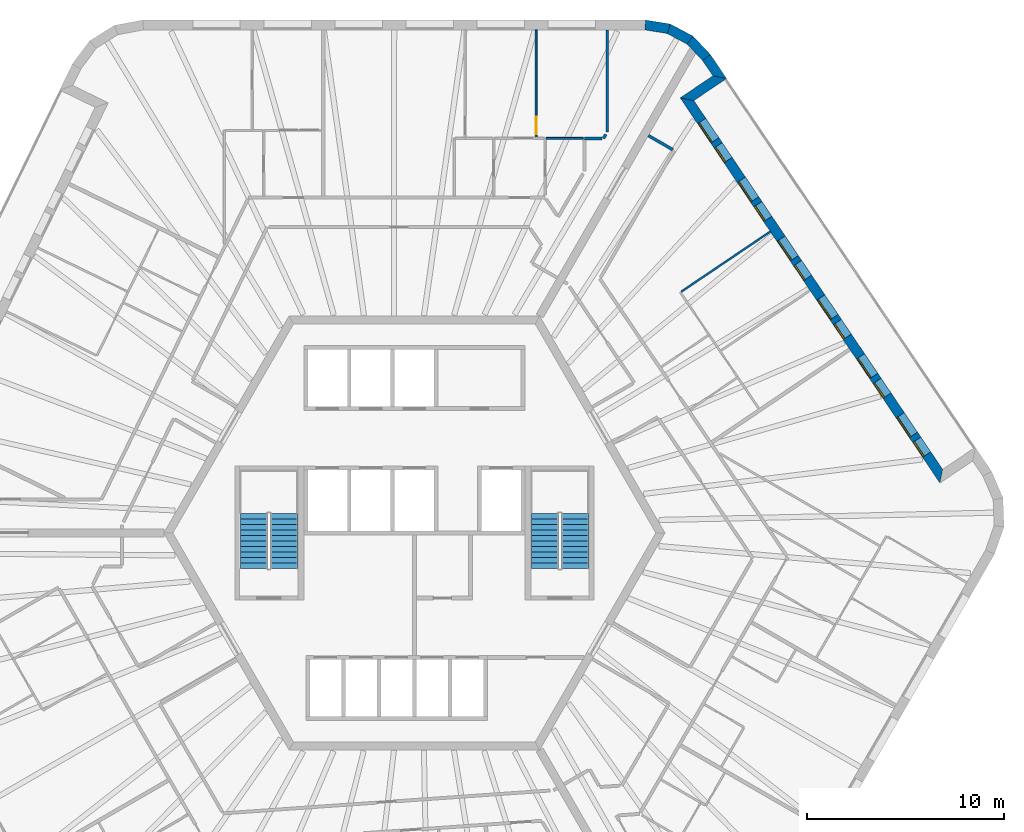
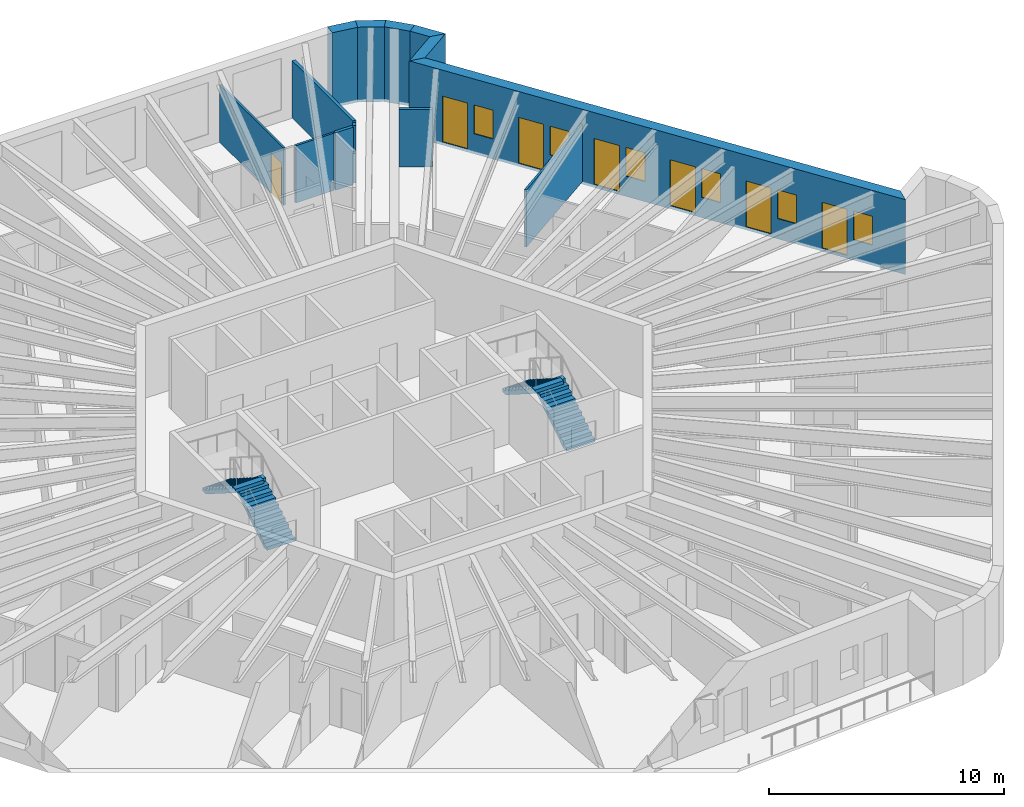
# One storey, part 11 of 12: 13 walls, 7 doors, 6 windows, 4 stair flights, 13 openings, 2 elements without a shape of their own.
"""IFC4 building model written with IfcOpenShell, lengths in metres."""

from ifc_helpers import new_model, si_unit, direction, frame, frame_2d, origin, place, context, subcontext, project, spatial, polyline, rectangle, outline, extrude, material, layer, layer_set, type_object, element, fill, aggregate, save


model = new_model("IFC4")

# Units and contexts
model_context = context("Model", 3, precision=1e-05, world=origin(), true_north=direction((0.0, 1.0)))
body_context = subcontext(model_context, "Body", "Model", "MODEL_VIEW")
ifc_project = project(units=[si_unit("LENGTHUNIT", "METRE"), si_unit("AREAUNIT", "SQUARE_METRE"), si_unit("VOLUMEUNIT", "CUBIC_METRE"), si_unit("PLANEANGLEUNIT", "RADIAN"), si_unit("MASSUNIT", "GRAM", prefix="KILO")], contexts=[model_context])

# Site, building, storey
site_placement = place(None, origin())
site = spatial("IfcSite", under=ifc_project, at=site_placement, CompositionType="ELEMENT")
building_placement = place(site_placement, origin())
building = spatial("IfcBuilding", under=site, at=building_placement, Name="Tarnside Tower", CompositionType="ELEMENT")
storey_placement = place(building_placement, frame((0.0, 0.0, 275.699951171875)))
storey = spatial("IfcBuildingStorey", under=building, at=storey_placement, Name="L66", CompositionType="ELEMENT", Elevation=275.699951171875)

# Walls
ifc_material_1 = material(Name="Gypsum board partition on steel studs", Category="steel")
ifc_layer_1 = layer(ifc_material_1, 0.10009765625)
ifc_layer_set_1 = layer_set([ifc_layer_1], Name="Bathroom wall 100")
wall_type_1 = type_object("IfcWallType", Name="Bathroom wall 100", PredefinedType="PARTITIONING", material=ifc_layer_set_1)
wall_1_placement = place(storey_placement, frame((6.676513671875, 20.0, 0.0), z_axis=(0.0, 0.0, 1.0), x_axis=(1.0, 0.0, 0.0)))
element("IfcWall", 1, at=wall_1_placement, inside=storey, type_object=wall_type_1, Name="Bathroom wall 21097", PredefinedType="PARTITIONING", context=body_context, shape_type="SweptSolid", body=[
    extrude(rectangle(XDim=1.875, YDim=0.10009765625, at=frame_2d((0.9375, 0.0))), origin(), (0.0, 0.0, 1.0), 2.98779296875),
])
ifc_layer_2 = layer(ifc_material_1, 0.14990234375)
ifc_layer_set_2 = layer_set([ifc_layer_2], Name="Corridor wall 150 EI 60")
wall_type_2 = type_object("IfcWallType", Name="Corridor wall 150 EI 60", PredefinedType="PARTITIONING", material=ifc_layer_set_2)
wall_2_placement = place(storey_placement, frame((9.775146484375, 25.5, 0.0), z_axis=(0.0, 0.0, 1.0), x_axis=(0.0, -1.0, 0.0)))
element("IfcWall", 2, at=wall_2_placement, inside=storey, type_object=wall_type_2, Name="Corridor wall 21004", PredefinedType="PARTITIONING", context=body_context, shape_type="SweptSolid", body=[
    extrude(rectangle(XDim=5.1689453125, YDim=0.14990234375, at=frame_2d((2.58447265625, 0.0))), origin(), (0.0, 0.0, 1.0), 2.98779296875),
])
wall_3_placement = place(storey_placement, frame((9.7001953125, 20.201171875, 0.0), z_axis=(0.0, 0.0, 1.0), x_axis=(-0.500207565094, -0.865905532852, 0.0)))
element("IfcWall", 3, at=wall_3_placement, inside=storey, type_object=wall_type_2, Name="Corridor wall 21005", PredefinedType="PARTITIONING", context=body_context, shape_type="SweptSolid", body=[
    extrude(rectangle(XDim=0.232421875, YDim=0.14990234375, at=frame_2d((0.1162109375, 0.0))), origin(), (0.0, 0.0, 1.0), 2.98779296875),
])
wall_4_placement = place(storey_placement, frame((9.497314453125, 20.0, 0.0), z_axis=(0.0, 0.0, 1.0), x_axis=(-1.0, 0.0, 0.0)))
element("IfcWall", 4, at=wall_4_placement, inside=storey, type_object=wall_type_2, Name="Corridor wall 21006", PredefinedType="PARTITIONING", context=body_context, shape_type="SweptSolid", body=[
    extrude(rectangle(XDim=0.874267578125, YDim=0.14990234375, at=frame_2d((0.43701171875, 0.0))), origin(), (0.0, 0.0, 1.0), 2.98779296875),
])
wall_5_placement = place(storey_placement, frame((13.09423828125, 19.429931640625, 0.0), z_axis=(0.0, 0.0, 1.0), x_axis=(-0.866062911188, 0.499935029643, 0.0)))
element("IfcWall", 5, at=wall_5_placement, inside=storey, type_object=wall_type_2, Name="Corridor wall 21071", PredefinedType="PARTITIONING", context=body_context, shape_type="SweptSolid", body=[
    extrude(rectangle(XDim=1.425048828125, YDim=0.14990234375, at=frame_2d((0.71240234375, 0.0))), origin(), (0.0, 0.0, 1.0), 2.98779296875),
])

# Wall, openings, doors, windows
ifc_material_2 = material(Name="Dark zinc cladding")
ifc_layer_3 = layer(ifc_material_2, 0.10205078125)
ifc_material_3 = material(Name="Concrete C60/75 precast", Category="concrete")
ifc_layer_4 = layer(ifc_material_3, 0.298095703125)
ifc_material_4 = material(Name="Mineral wool insulation")
ifc_layer_5 = layer(ifc_material_4, 0.10009765625)
ifc_layer_set_3 = layer_set([ifc_layer_3, ifc_layer_4, ifc_layer_5], Name="Loggia wall 500 zinc faced")
wall_type_3 = type_object("IfcWallType", Name="Loggia wall 500 zinc faced", PredefinedType="SOLIDWALL", material=ifc_layer_set_3)
wall_6_placement = place(storey_placement, frame((26.705810546875, 2.87890625, -0.14990234375), z_axis=(0.0, 0.0, 1.0), x_axis=(-0.559197891507, 0.829034208061, 0.0)))
wall_6 = element("IfcWall", 6, at=wall_6_placement, inside=storey, type_object=wall_type_3, Name="Tube wall L66 F6 back 30", PredefinedType="SOLIDWALL", context=body_context, shape_type="SweptSolid", body=[
    extrude(outline(polyline([(0.25, -0.25), (22.794677734375, -0.25), (23.294677734375, 0.25), (-0.25, 0.25), (0.25, -0.25)])), origin(), (0.0, 0.0, 1.0), 3.89990234375),
])
opening_1_placement = place(wall_6_placement, frame((1.322509765625, 0.0, 1.050048828125)))
opening_1 = element("IfcOpeningElement", 7, at=opening_1_placement, cuts=wall_6, Name="Opening WL500", PredefinedType="OPENING", context=body_context, shape_type="SweptSolid", body=[
    extrude(rectangle(XDim=0.89990234375, YDim=1.5, at=frame_2d((0.449951171875, 0.75))), frame((0.0, 0.260009765625, 0.0), z_axis=(0.0, -1.0, 0.0), x_axis=(1.0, 0.0, 0.0)), (0.0, 0.0, 1.0), 0.52001953125),
])
opening_2_placement = place(wall_6_placement, frame((2.5224609375, 0.0, 0.14990234375)))
opening_2 = element("IfcOpeningElement", 8, at=opening_2_placement, cuts=wall_6, Name="Opening DB500", PredefinedType="OPENING", context=body_context, shape_type="SweptSolid", body=[
    extrude(rectangle(XDim=1.199951171875, YDim=2.39990234375, at=frame_2d((0.60009765625, 1.199951171875))), frame((0.0, 0.260009765625, 0.0), z_axis=(0.0, -1.0, 0.0), x_axis=(1.0, 0.0, 0.0)), (0.0, 0.0, 1.0), 0.52001953125),
])
opening_3_placement = place(wall_6_placement, frame((4.92236328125, 0.0, 1.050048828125)))
opening_3 = element("IfcOpeningElement", 9, at=opening_3_placement, cuts=wall_6, Name="Opening WL500", PredefinedType="OPENING", context=body_context, shape_type="SweptSolid", body=[
    extrude(rectangle(XDim=0.89990234375, YDim=1.5, at=frame_2d((0.449951171875, 0.75))), frame((0.0, 0.260009765625, 0.0), z_axis=(0.0, -1.0, 0.0), x_axis=(1.0, 0.0, 0.0)), (0.0, 0.0, 1.0), 0.52001953125),
])
opening_4_placement = place(wall_6_placement, frame((6.122314453125, 0.0, 0.14990234375)))
opening_4 = element("IfcOpeningElement", 10, at=opening_4_placement, cuts=wall_6, Name="Opening DB500", PredefinedType="OPENING", context=body_context, shape_type="SweptSolid", body=[
    extrude(rectangle(XDim=1.199951171875, YDim=2.39990234375, at=frame_2d((0.60009765625, 1.199951171875))), frame((0.0, 0.260009765625, 0.0), z_axis=(0.0, -1.0, 0.0), x_axis=(1.0, 0.0, 0.0)), (0.0, 0.0, 1.0), 0.52001953125),
])
opening_5_placement = place(wall_6_placement, frame((8.5224609375, 0.0, 1.050048828125)))
opening_5 = element("IfcOpeningElement", 11, at=opening_5_placement, cuts=wall_6, Name="Opening WL500", PredefinedType="OPENING", context=body_context, shape_type="SweptSolid", body=[
    extrude(rectangle(XDim=0.89990234375, YDim=1.5, at=frame_2d((0.449951171875, 0.75))), frame((0.0, 0.260009765625, 0.0), z_axis=(0.0, -1.0, 0.0), x_axis=(1.0, 0.0, 0.0)), (0.0, 0.0, 1.0), 0.52001953125),
])
opening_6_placement = place(wall_6_placement, frame((9.722412109375, 0.0, 0.14990234375)))
opening_6 = element("IfcOpeningElement", 12, at=opening_6_placement, cuts=wall_6, Name="Opening DB500", PredefinedType="OPENING", context=body_context, shape_type="SweptSolid", body=[
    extrude(rectangle(XDim=1.199951171875, YDim=2.39990234375, at=frame_2d((0.60009765625, 1.199951171875))), frame((0.0, 0.260009765625, 0.0), z_axis=(0.0, -1.0, 0.0), x_axis=(1.0, 0.0, 0.0)), (0.0, 0.0, 1.0), 0.52001953125),
])
opening_7_placement = place(wall_6_placement, frame((12.122314453125, 0.0, 1.050048828125)))
opening_7 = element("IfcOpeningElement", 13, at=opening_7_placement, cuts=wall_6, Name="Opening WL500", PredefinedType="OPENING", context=body_context, shape_type="SweptSolid", body=[
    extrude(rectangle(XDim=0.89990234375, YDim=1.5, at=frame_2d((0.449951171875, 0.75))), frame((0.0, 0.260009765625, 0.0), z_axis=(0.0, -1.0, 0.0), x_axis=(1.0, 0.0, 0.0)), (0.0, 0.0, 1.0), 0.52001953125),
])
opening_8_placement = place(wall_6_placement, frame((13.322509765625, 0.0, 0.14990234375)))
opening_8 = element("IfcOpeningElement", 14, at=opening_8_placement, cuts=wall_6, Name="Opening DB500", PredefinedType="OPENING", context=body_context, shape_type="SweptSolid", body=[
    extrude(rectangle(XDim=1.199951171875, YDim=2.39990234375, at=frame_2d((0.60009765625, 1.199951171875))), frame((0.0, 0.260009765625, 0.0), z_axis=(0.0, -1.0, 0.0), x_axis=(1.0, 0.0, 0.0)), (0.0, 0.0, 1.0), 0.52001953125),
])
opening_9_placement = place(wall_6_placement, frame((15.722412109375, 0.0, 1.050048828125)))
opening_9 = element("IfcOpeningElement", 15, at=opening_9_placement, cuts=wall_6, Name="Opening WL500", PredefinedType="OPENING", context=body_context, shape_type="SweptSolid", body=[
    extrude(rectangle(XDim=0.89990234375, YDim=1.5, at=frame_2d((0.449951171875, 0.75))), frame((0.0, 0.260009765625, 0.0), z_axis=(0.0, -1.0, 0.0), x_axis=(1.0, 0.0, 0.0)), (0.0, 0.0, 1.0), 0.52001953125),
])
opening_10_placement = place(wall_6_placement, frame((16.92236328125, 0.0, 0.14990234375)))
opening_10 = element("IfcOpeningElement", 16, at=opening_10_placement, cuts=wall_6, Name="Opening DB500", PredefinedType="OPENING", context=body_context, shape_type="SweptSolid", body=[
    extrude(rectangle(XDim=1.199951171875, YDim=2.39990234375, at=frame_2d((0.60009765625, 1.199951171875))), frame((0.0, 0.260009765625, 0.0), z_axis=(0.0, -1.0, 0.0), x_axis=(1.0, 0.0, 0.0)), (0.0, 0.0, 1.0), 0.52001953125),
])
opening_11_placement = place(wall_6_placement, frame((19.322509765625, 0.0, 1.050048828125)))
opening_11 = element("IfcOpeningElement", 17, at=opening_11_placement, cuts=wall_6, Name="Opening WL500", PredefinedType="OPENING", context=body_context, shape_type="SweptSolid", body=[
    extrude(rectangle(XDim=0.89990234375, YDim=1.5, at=frame_2d((0.449951171875, 0.75))), frame((0.0, 0.260009765625, 0.0), z_axis=(0.0, -1.0, 0.0), x_axis=(1.0, 0.0, 0.0)), (0.0, 0.0, 1.0), 0.52001953125),
])
opening_12_placement = place(wall_6_placement, frame((20.5224609375, 0.0, 0.14990234375)))
opening_12 = element("IfcOpeningElement", 18, at=opening_12_placement, cuts=wall_6, Name="Opening DB500", PredefinedType="OPENING", context=body_context, shape_type="SweptSolid", body=[
    extrude(rectangle(XDim=1.199951171875, YDim=2.39990234375, at=frame_2d((0.60009765625, 1.199951171875))), frame((0.0, 0.260009765625, 0.0), z_axis=(0.0, -1.0, 0.0), x_axis=(1.0, 0.0, 0.0)), (0.0, 0.0, 1.0), 0.52001953125),
])
ifc_material_5 = material(Name="Aluminium-framed double glazing", Category="aluminium")
door_type_1 = type_object("IfcDoorType", Name="Balcony sliding door 1200 x 2400 in 500 wall", OperationType="SLIDING_TO_LEFT", PredefinedType="DOOR", material=ifc_material_5)
door_1_placement = place(opening_2_placement, frame((0.0, 0.1748046875, 0.0)))
door_1 = element("IfcDoor", 19, at=door_1_placement, inside=storey, type_object=door_type_1, Name="E.BD.L66.F6.00", OperationType="SLIDING_TO_LEFT", OverallHeight=2.39990234375, OverallWidth=1.199951171875, PredefinedType="DOOR", context=body_context, shape_type="SweptSolid", body=[
    extrude(rectangle(XDim=1.199951171875, YDim=2.39990234375, at=frame_2d((0.60009765625, 1.199951171875))), frame((0.0, 0.02490234375, 0.0), z_axis=(0.0, -1.0, 0.0), x_axis=(1.0, 0.0, 0.0)), (0.0, 0.0, 1.0), 0.050048828125),
])
fill(opening_2, door_1)
door_2_placement = place(opening_4_placement, frame((0.0, 0.1748046875, 0.0)))
door_2 = element("IfcDoor", 20, at=door_2_placement, inside=storey, type_object=door_type_1, Name="E.BD.L66.F6.01", OperationType="SLIDING_TO_LEFT", OverallHeight=2.39990234375, OverallWidth=1.199951171875, PredefinedType="DOOR", context=body_context, shape_type="SweptSolid", body=[
    extrude(rectangle(XDim=1.199951171875, YDim=2.39990234375, at=frame_2d((0.60009765625, 1.199951171875))), frame((0.0, 0.02490234375, 0.0), z_axis=(0.0, -1.0, 0.0), x_axis=(1.0, 0.0, 0.0)), (0.0, 0.0, 1.0), 0.050048828125),
])
fill(opening_4, door_2)
door_3_placement = place(opening_6_placement, frame((0.0, 0.1748046875, 0.0)))
door_3 = element("IfcDoor", 21, at=door_3_placement, inside=storey, type_object=door_type_1, Name="E.BD.L66.F6.02", OperationType="SLIDING_TO_LEFT", OverallHeight=2.39990234375, OverallWidth=1.199951171875, PredefinedType="DOOR", context=body_context, shape_type="SweptSolid", body=[
    extrude(rectangle(XDim=1.199951171875, YDim=2.39990234375, at=frame_2d((0.60009765625, 1.199951171875))), frame((0.0, 0.02490234375, 0.0), z_axis=(0.0, -1.0, 0.0), x_axis=(1.0, 0.0, 0.0)), (0.0, 0.0, 1.0), 0.050048828125),
])
fill(opening_6, door_3)
door_4_placement = place(opening_8_placement, frame((0.0, 0.1748046875, 0.0)))
door_4 = element("IfcDoor", 22, at=door_4_placement, inside=storey, type_object=door_type_1, Name="E.BD.L66.F6.03", OperationType="SLIDING_TO_LEFT", OverallHeight=2.39990234375, OverallWidth=1.199951171875, PredefinedType="DOOR", context=body_context, shape_type="SweptSolid", body=[
    extrude(rectangle(XDim=1.199951171875, YDim=2.39990234375, at=frame_2d((0.60009765625, 1.199951171875))), frame((0.0, 0.02490234375, 0.0), z_axis=(0.0, -1.0, 0.0), x_axis=(1.0, 0.0, 0.0)), (0.0, 0.0, 1.0), 0.050048828125),
])
fill(opening_8, door_4)
door_5_placement = place(opening_10_placement, frame((0.0, 0.1748046875, 0.0)))
door_5 = element("IfcDoor", 23, at=door_5_placement, inside=storey, type_object=door_type_1, Name="E.BD.L66.F6.04", OperationType="SLIDING_TO_LEFT", OverallHeight=2.39990234375, OverallWidth=1.199951171875, PredefinedType="DOOR", context=body_context, shape_type="SweptSolid", body=[
    extrude(rectangle(XDim=1.199951171875, YDim=2.39990234375, at=frame_2d((0.60009765625, 1.199951171875))), frame((0.0, 0.02490234375, 0.0), z_axis=(0.0, -1.0, 0.0), x_axis=(1.0, 0.0, 0.0)), (0.0, 0.0, 1.0), 0.050048828125),
])
fill(opening_10, door_5)
door_6_placement = place(opening_12_placement, frame((0.0, 0.1748046875, 0.0)))
door_6 = element("IfcDoor", 24, at=door_6_placement, inside=storey, type_object=door_type_1, Name="E.BD.L66.F6.05", OperationType="SLIDING_TO_LEFT", OverallHeight=2.39990234375, OverallWidth=1.199951171875, PredefinedType="DOOR", context=body_context, shape_type="SweptSolid", body=[
    extrude(rectangle(XDim=1.199951171875, YDim=2.39990234375, at=frame_2d((0.60009765625, 1.199951171875))), frame((0.0, 0.02490234375, 0.0), z_axis=(0.0, -1.0, 0.0), x_axis=(1.0, 0.0, 0.0)), (0.0, 0.0, 1.0), 0.050048828125),
])
fill(opening_12, door_6)
window_type = type_object("IfcWindowType", Name="Loggia window 900 x 1500 in 500 wall", PartitioningType="SINGLE_PANEL", PredefinedType="WINDOW", material=ifc_material_5)
window_1_placement = place(opening_1_placement, frame((0.0, 0.179931640625, 0.0)))
window_1 = element("IfcWindow", 25, at=window_1_placement, inside=storey, type_object=window_type, Name="E.LW.L66.F6.00", OverallHeight=1.5, OverallWidth=0.89990234375, PartitioningType="SINGLE_PANEL", PredefinedType="WINDOW", context=body_context, shape_type="SweptSolid", body=[
    extrude(rectangle(XDim=0.89990234375, YDim=1.5, at=frame_2d((0.449951171875, 0.75))), frame((0.0, 0.030029296875, 0.0), z_axis=(0.0, -1.0, 0.0), x_axis=(1.0, 0.0, 0.0)), (0.0, 0.0, 1.0), 0.06005859375),
])
fill(opening_1, window_1)
window_2_placement = place(opening_3_placement, frame((0.0, 0.179931640625, 0.0)))
window_2 = element("IfcWindow", 26, at=window_2_placement, inside=storey, type_object=window_type, Name="E.LW.L66.F6.01", OverallHeight=1.5, OverallWidth=0.89990234375, PartitioningType="SINGLE_PANEL", PredefinedType="WINDOW", context=body_context, shape_type="SweptSolid", body=[
    extrude(rectangle(XDim=0.89990234375, YDim=1.5, at=frame_2d((0.449951171875, 0.75))), frame((0.0, 0.030029296875, 0.0), z_axis=(0.0, -1.0, 0.0), x_axis=(1.0, 0.0, 0.0)), (0.0, 0.0, 1.0), 0.06005859375),
])
fill(opening_3, window_2)
window_3_placement = place(opening_5_placement, frame((0.0, 0.179931640625, 0.0)))
window_3 = element("IfcWindow", 27, at=window_3_placement, inside=storey, type_object=window_type, Name="E.LW.L66.F6.02", OverallHeight=1.5, OverallWidth=0.89990234375, PartitioningType="SINGLE_PANEL", PredefinedType="WINDOW", context=body_context, shape_type="SweptSolid", body=[
    extrude(rectangle(XDim=0.89990234375, YDim=1.5, at=frame_2d((0.449951171875, 0.75))), frame((0.0, 0.030029296875, 0.0), z_axis=(0.0, -1.0, 0.0), x_axis=(1.0, 0.0, 0.0)), (0.0, 0.0, 1.0), 0.06005859375),
])
fill(opening_5, window_3)
window_4_placement = place(opening_7_placement, frame((0.0, 0.179931640625, 0.0)))
window_4 = element("IfcWindow", 28, at=window_4_placement, inside=storey, type_object=window_type, Name="E.LW.L66.F6.03", OverallHeight=1.5, OverallWidth=0.89990234375, PartitioningType="SINGLE_PANEL", PredefinedType="WINDOW", context=body_context, shape_type="SweptSolid", body=[
    extrude(rectangle(XDim=0.89990234375, YDim=1.5, at=frame_2d((0.449951171875, 0.75))), frame((0.0, 0.030029296875, 0.0), z_axis=(0.0, -1.0, 0.0), x_axis=(1.0, 0.0, 0.0)), (0.0, 0.0, 1.0), 0.06005859375),
])
fill(opening_7, window_4)
window_5_placement = place(opening_9_placement, frame((0.0, 0.179931640625, 0.0)))
window_5 = element("IfcWindow", 29, at=window_5_placement, inside=storey, type_object=window_type, Name="E.LW.L66.F6.04", OverallHeight=1.5, OverallWidth=0.89990234375, PartitioningType="SINGLE_PANEL", PredefinedType="WINDOW", context=body_context, shape_type="SweptSolid", body=[
    extrude(rectangle(XDim=0.89990234375, YDim=1.5, at=frame_2d((0.449951171875, 0.75))), frame((0.0, 0.030029296875, 0.0), z_axis=(0.0, -1.0, 0.0), x_axis=(1.0, 0.0, 0.0)), (0.0, 0.0, 1.0), 0.06005859375),
])
fill(opening_9, window_5)
window_6_placement = place(opening_11_placement, frame((0.0, 0.179931640625, 0.0)))
window_6 = element("IfcWindow", 30, at=window_6_placement, inside=storey, type_object=window_type, Name="E.LW.L66.F6.05", OverallHeight=1.5, OverallWidth=0.89990234375, PartitioningType="SINGLE_PANEL", PredefinedType="WINDOW", context=body_context, shape_type="SweptSolid", body=[
    extrude(rectangle(XDim=0.89990234375, YDim=1.5, at=frame_2d((0.449951171875, 0.75))), frame((0.0, 0.030029296875, 0.0), z_axis=(0.0, -1.0, 0.0), x_axis=(1.0, 0.0, 0.0)), (0.0, 0.0, 1.0), 0.06005859375),
])
fill(opening_11, window_6)

# Walls
wall_7_placement = place(storey_placement, frame((13.8193359375, 21.983642578125, -0.14990234375), z_axis=(0.0, 0.0, 1.0), x_axis=(0.829052389485, 0.559170935841, 0.0)))
element("IfcWall", 31, at=wall_7_placement, inside=storey, type_object=wall_type_3, Name="Tube wall L66 F6 return 31", PredefinedType="SOLIDWALL", context=body_context, shape_type="SweptSolid", body=[
    extrude(outline(polyline([(0.25, -0.25), (2.25, -0.25), (1.75, 0.25), (-0.25, 0.25), (0.25, -0.25)])), origin(), (0.0, 0.0, 1.0), 3.89990234375),
])
wall_8_placement = place(storey_placement, frame((15.4775390625, 23.10205078125, -0.14990234375), z_axis=(0.0, 0.0, 1.0), x_axis=(-0.559245726333, 0.829001940636, 0.0)))
element("IfcWall", 32, at=wall_8_placement, inside=storey, type_object=wall_type_3, Name="Tube wall L66 F6 stub 32", PredefinedType="SOLIDWALL", context=body_context, shape_type="SweptSolid", body=[
    extrude(outline(polyline([(-0.25, -0.25), (1.220703125, -0.25), (1.1796875, 0.25), (0.25, 0.25), (-0.25, -0.25)])), origin(), (0.0, 0.0, 1.0), 3.89990234375),
])

# Wall, opening, door
ifc_layer_6 = layer(ifc_material_1, 0.10009765625)
ifc_layer_set_4 = layer_set([ifc_layer_6], Name="Partition 100")
wall_type_4 = type_object("IfcWallType", Name="Partition 100", PredefinedType="PARTITIONING", material=ifc_layer_set_4)
wall_9_placement = place(storey_placement, frame((6.17529296875, 25.5, 0.0), z_axis=(0.0, 0.0, 1.0), x_axis=(0.0, -1.0, 0.0)))
wall_9 = element("IfcWall", 33, at=wall_9_placement, inside=storey, type_object=wall_type_4, Name="Partition wall 21096", PredefinedType="PARTITIONING", context=body_context, shape_type="SweptSolid", body=[
    extrude(rectangle(XDim=5.449951171875, YDim=0.10009765625, at=frame_2d((2.72509765625, 0.0))), origin(), (0.0, 0.0, 1.0), 2.98779296875),
])
opening_13_placement = place(wall_9_placement, frame((4.39990234375, 0.0, 0.0)))
opening_13 = element("IfcOpeningElement", 34, at=opening_13_placement, cuts=wall_9, Name="Opening D-I1", PredefinedType="OPENING", context=body_context, shape_type="SweptSolid", body=[
    extrude(rectangle(XDim=0.89990234375, YDim=2.10009765625, at=frame_2d((0.449951171875, 1.050048828125))), frame((0.0, 0.06005859375, 0.0), z_axis=(0.0, -1.0, 0.0), x_axis=(1.0, 0.0, 0.0)), (0.0, 0.0, 1.0), 0.1201171875),
])
ifc_material_6 = material(Name="Timber door leaf", Category="wood")
door_type_2 = type_object("IfcDoorType", Name="Internal door 900", OperationType="NOTDEFINED", PredefinedType="DOOR", material=ifc_material_6)
door_7_placement = place(opening_13_placement, origin())
door_7 = element("IfcDoor", 35, at=door_7_placement, inside=storey, type_object=door_type_2, Name="Internal door 21008", OperationType="SINGLE_SWING_RIGHT", OverallHeight=2.10009765625, OverallWidth=0.89990234375, PredefinedType="DOOR", context=body_context, shape_type="SweptSolid", body=[
    extrude(rectangle(XDim=0.89990234375, YDim=2.10009765625, at=frame_2d((0.449951171875, 1.050048828125))), frame((0.0, 0.02490234375, 0.0), z_axis=(0.0, -1.0, 0.0), x_axis=(1.0, 0.0, 0.0)), (0.0, 0.0, 1.0), 0.050048828125),
])
fill(opening_13, door_7)

# Walls
wall_10_placement = place(storey_placement, frame((13.524169921875, 12.228515625, 0.0), z_axis=(0.0, 0.0, 1.0), x_axis=(0.829026245862, 0.559209695617, 0.0)))
element("IfcWall", 36, at=wall_10_placement, inside=storey, type_object=wall_type_4, Name="Partition wall 21173", PredefinedType="PARTITIONING", context=body_context, shape_type="SweptSolid", body=[
    extrude(rectangle(XDim=5.449951171875, YDim=0.10009765625, at=frame_2d((2.72509765625, 0.0))), origin(), (0.0, 0.0, 1.0), 2.98779296875),
])
ifc_material_7 = material(Name="Facing brick", Category="masonry")
ifc_layer_7 = layer(ifc_material_7, 0.10205078125)
ifc_layer_8 = layer(ifc_material_3, 0.298095703125)
ifc_layer_9 = layer(ifc_material_4, 0.10009765625)
ifc_layer_set_5 = layer_set([ifc_layer_7, ifc_layer_8, ifc_layer_9], Name="Tube wall 500 brick faced")
wall_type_5 = type_object("IfcWallType", Name="Tube wall 500 brick faced", PredefinedType="SOLIDWALL", material=ifc_layer_set_5)
wall_11_placement = place(storey_placement, frame((14.806396484375, 24.096923828125, -0.14990234375), z_axis=(0.0, 0.0, 1.0), x_axis=(-0.686234452793, 0.727380420275, 0.0)))
element("IfcWall", 37, at=wall_11_placement, inside=storey, type_object=wall_type_5, Name="Tube wall L66 F6 chord 33", PredefinedType="SOLIDWALL", context=body_context, shape_type="SweptSolid", body=[
    extrude(outline(polyline([(-0.0205078125, -0.25), (1.25732421875, -0.25), (1.17529296875, 0.25), (0.0205078125, 0.25), (-0.0205078125, -0.25)])), origin(), (0.0, 0.0, 1.0), 3.89990234375),
])
wall_12_placement = place(storey_placement, frame((13.9716796875, 24.981689453125, -0.14990234375), z_axis=(0.0, 0.0, 1.0), x_axis=(-0.882902492938, 0.469556373575, 0.0)))
element("IfcWall", 38, at=wall_12_placement, inside=storey, type_object=wall_type_5, Name="Tube wall L66 F6 chord 34", PredefinedType="SOLIDWALL", context=body_context, shape_type="SweptSolid", body=[
    extrude(outline(polyline([(-0.041015625, -0.25), (1.257080078125, -0.25), (1.175048828125, 0.25), (0.041015625, 0.25), (-0.041015625, -0.25)])), origin(), (0.0, 0.0, 1.0), 3.89990234375),
])
wall_13_placement = place(storey_placement, frame((12.89794921875, 25.552734375, -0.14990234375), z_axis=(0.0, 0.0, 1.0), x_axis=(-0.986765617372, 0.16215306464, 0.0)))
element("IfcWall", 39, at=wall_13_placement, inside=storey, type_object=wall_type_5, Name="Tube wall L66 F6 chord 35", PredefinedType="SOLIDWALL", context=body_context, shape_type="SweptSolid", body=[
    extrude(outline(polyline([(-0.041015625, -0.25), (1.237060546875, -0.25), (1.196044921875, 0.25), (0.041015625, 0.25), (-0.041015625, -0.25)])), origin(), (0.0, 0.0, 1.0), 3.89990234375),
])

# Stair, stair flights
ifc_material_8 = material(Name="Concrete C40/50", Category="concrete")
stair_type = type_object("IfcStairType", Name="Exit stair 1400 clear", PredefinedType="HALF_TURN_STAIR", material=ifc_material_8)
stair_1_placement = place(storey_placement, origin())
stair_1 = element("IfcStair", 40, at=stair_1_placement, inside=storey, type_object=stair_type, Name="L66 Exit stair 1", PredefinedType="HALF_TURN_STAIR")
stair_flight_type = type_object("IfcStairFlightType", Name="Exit stair flight 1400", PredefinedType="STRAIGHT", material=ifc_material_8)
stair_flight_1_placement = place(storey_placement, frame((8.14990234375, -1.800048828125, 0.0), z_axis=(0.0, 0.0, 1.0), x_axis=(0.0, 1.0, 0.0)))
stair_flight_1 = element("IfcStairFlight", 41, at=stair_flight_1_placement, type_object=stair_flight_type, Name="ST1 flight 1", NumberOfRisers=11, NumberOfTreads=10, PredefinedType="STRAIGHT", RiserHeight=0.177272727, TreadLength=0.28, context=body_context, shape_type="SweptSolid", body=[
    extrude(outline(polyline([(0.0, 0.0), (0.0, 0.17724609375), (0.280029296875, 0.17724609375), (0.280029296875, 0.3544921875), (0.56005859375, 0.3544921875), (0.56005859375, 0.53173828125), (0.840087890625, 0.53173828125), (0.840087890625, 0.708984375), (1.1201171875, 0.708984375), (1.1201171875, 0.886474609375), (1.39990234375, 0.886474609375), (1.39990234375, 1.063720703125), (1.679931640625, 1.063720703125), (1.679931640625, 1.240966796875), (1.9599609375, 1.240966796875), (1.9599609375, 1.418212890625), (2.239990234375, 1.418212890625), (2.239990234375, 1.595458984375), (2.52001953125, 1.595458984375), (2.52001953125, 1.772705078125), (2.800048828125, 1.772705078125), (2.800048828125, 1.949951171875), (2.800048828125, 1.59521484375), (0.2802734375, 0.0), (0.0, 0.0)])), frame((0.0, 0.699951171875, 0.0), z_axis=(0.0, -1.0, 0.0), x_axis=(1.0, 0.0, 0.0)), (0.0, 0.0, 1.0), 1.39990234375),
])
stair_flight_2_placement = place(storey_placement, frame((6.60009765625, 1.0, 1.949951171875), z_axis=(0.0, 0.0, 1.0), x_axis=(0.0, -1.0, 0.0)))
stair_flight_2 = element("IfcStairFlight", 42, at=stair_flight_2_placement, type_object=stair_flight_type, Name="ST1 flight 2", NumberOfRisers=11, NumberOfTreads=10, PredefinedType="STRAIGHT", RiserHeight=0.177272727, TreadLength=0.28, context=body_context, shape_type="SweptSolid", body=[
    extrude(outline(polyline([(0.0, 0.0), (0.0, 0.17724609375), (0.280029296875, 0.17724609375), (0.280029296875, 0.3544921875), (0.56005859375, 0.3544921875), (0.56005859375, 0.53173828125), (0.840087890625, 0.53173828125), (0.840087890625, 0.708984375), (1.1201171875, 0.708984375), (1.1201171875, 0.886474609375), (1.39990234375, 0.886474609375), (1.39990234375, 1.063720703125), (1.679931640625, 1.063720703125), (1.679931640625, 1.240966796875), (1.9599609375, 1.240966796875), (1.9599609375, 1.418212890625), (2.239990234375, 1.418212890625), (2.239990234375, 1.595458984375), (2.52001953125, 1.595458984375), (2.52001953125, 1.772705078125), (2.800048828125, 1.772705078125), (2.800048828125, 1.949951171875), (2.800048828125, 1.59521484375), (0.2802734375, 0.0), (0.0, 0.0)])), frame((0.0, 0.699951171875, 0.0), z_axis=(0.0, -1.0, 0.0), x_axis=(1.0, 0.0, 0.0)), (0.0, 0.0, 1.0), 1.39990234375),
])
aggregate(stair_1, [stair_flight_1, stair_flight_2])

stair_2_placement = place(storey_placement, origin())
stair_2 = element("IfcStair", 43, at=stair_2_placement, inside=storey, type_object=stair_type, Name="L66 Exit stair 2", PredefinedType="HALF_TURN_STAIR")
stair_flight_3_placement = place(storey_placement, frame((-6.60009765625, -1.800048828125, 0.0), z_axis=(0.0, 0.0, 1.0), x_axis=(0.0, 1.0, 0.0)))
stair_flight_3 = element("IfcStairFlight", 44, at=stair_flight_3_placement, type_object=stair_flight_type, Name="ST2 flight 1", NumberOfRisers=11, NumberOfTreads=10, PredefinedType="STRAIGHT", RiserHeight=0.177272727, TreadLength=0.28, context=body_context, shape_type="SweptSolid", body=[
    extrude(outline(polyline([(0.0, 0.0), (0.0, 0.17724609375), (0.280029296875, 0.17724609375), (0.280029296875, 0.3544921875), (0.56005859375, 0.3544921875), (0.56005859375, 0.53173828125), (0.840087890625, 0.53173828125), (0.840087890625, 0.708984375), (1.1201171875, 0.708984375), (1.1201171875, 0.886474609375), (1.39990234375, 0.886474609375), (1.39990234375, 1.063720703125), (1.679931640625, 1.063720703125), (1.679931640625, 1.240966796875), (1.9599609375, 1.240966796875), (1.9599609375, 1.418212890625), (2.239990234375, 1.418212890625), (2.239990234375, 1.595458984375), (2.52001953125, 1.595458984375), (2.52001953125, 1.772705078125), (2.800048828125, 1.772705078125), (2.800048828125, 1.949951171875), (2.800048828125, 1.59521484375), (0.2802734375, 0.0), (0.0, 0.0)])), frame((0.0, 0.699951171875, 0.0), z_axis=(0.0, -1.0, 0.0), x_axis=(1.0, 0.0, 0.0)), (0.0, 0.0, 1.0), 1.39990234375),
])
stair_flight_4_placement = place(storey_placement, frame((-8.14990234375, 1.0, 1.949951171875), z_axis=(0.0, 0.0, 1.0), x_axis=(0.0, -1.0, 0.0)))
stair_flight_4 = element("IfcStairFlight", 45, at=stair_flight_4_placement, type_object=stair_flight_type, Name="ST2 flight 2", NumberOfRisers=11, NumberOfTreads=10, PredefinedType="STRAIGHT", RiserHeight=0.177272727, TreadLength=0.28, context=body_context, shape_type="SweptSolid", body=[
    extrude(outline(polyline([(0.0, 0.0), (0.0, 0.17724609375), (0.280029296875, 0.17724609375), (0.280029296875, 0.3544921875), (0.56005859375, 0.3544921875), (0.56005859375, 0.53173828125), (0.840087890625, 0.53173828125), (0.840087890625, 0.708984375), (1.1201171875, 0.708984375), (1.1201171875, 0.886474609375), (1.39990234375, 0.886474609375), (1.39990234375, 1.063720703125), (1.679931640625, 1.063720703125), (1.679931640625, 1.240966796875), (1.9599609375, 1.240966796875), (1.9599609375, 1.418212890625), (2.239990234375, 1.418212890625), (2.239990234375, 1.595458984375), (2.52001953125, 1.595458984375), (2.52001953125, 1.772705078125), (2.800048828125, 1.772705078125), (2.800048828125, 1.949951171875), (2.800048828125, 1.59521484375), (0.2802734375, 0.0), (0.0, 0.0)])), frame((0.0, 0.699951171875, 0.0), z_axis=(0.0, -1.0, 0.0), x_axis=(1.0, 0.0, 0.0)), (0.0, 0.0, 1.0), 1.39990234375),
])
aggregate(stair_2, [stair_flight_3, stair_flight_4])

save(model, "model.ifc")
